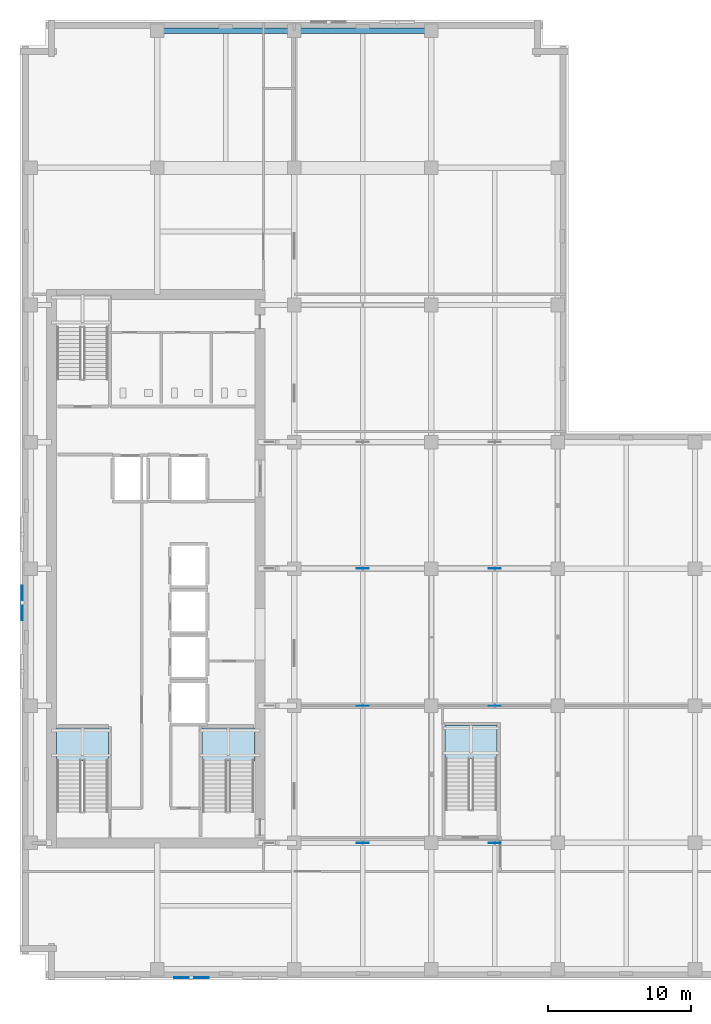
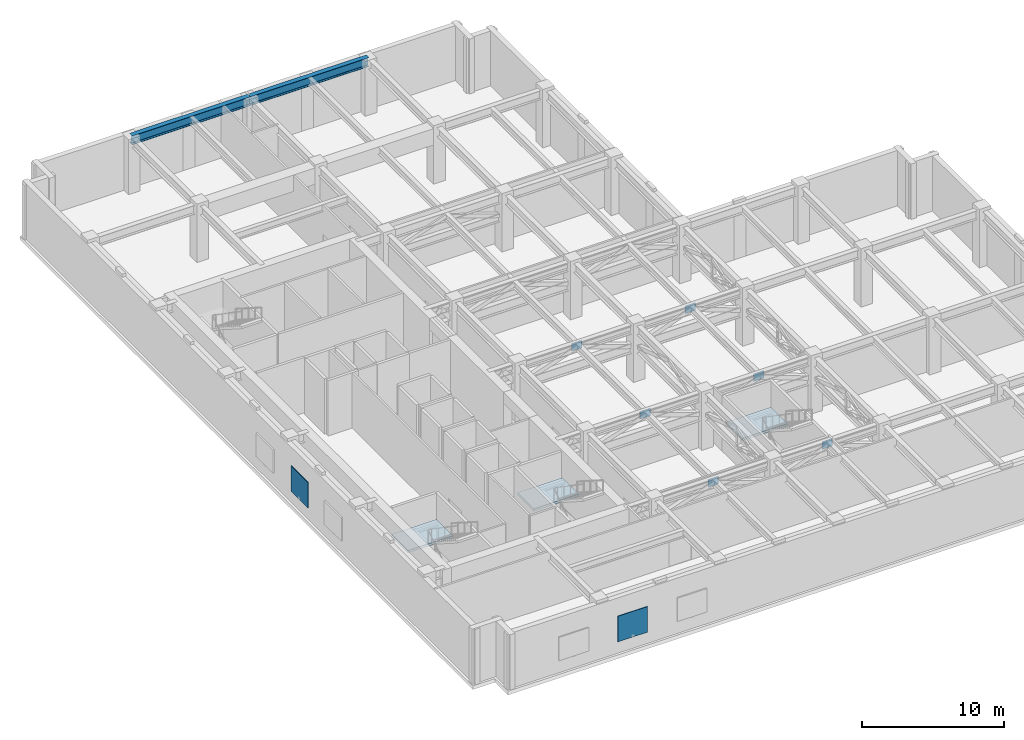
# One storey, part 8 of 21: 8 plates, 3 slabs, 2 beams, 3 elements without a shape of their own.
"""IFC4 building model written with IfcOpenShell, lengths in metres."""

from ifc_helpers import new_model, si_unit, direction, frame, origin, origin_2d, place, context, subcontext, project, spatial, polyline, rectangle, i_section, outline, extrude, material, layer, layer_set, material_profile, profile_set, type_object, element, aggregate, save


model = new_model("IFC4")

# Units and contexts
model_context = context("Model", 3, precision=1e-05, world=origin(), true_north=direction((0.0, 1.0)))
body_context = subcontext(model_context, "Body", "Model", "MODEL_VIEW")
ifc_project = project(units=[si_unit("LENGTHUNIT", "METRE"), si_unit("AREAUNIT", "SQUARE_METRE"), si_unit("VOLUMEUNIT", "CUBIC_METRE"), si_unit("PLANEANGLEUNIT", "RADIAN"), si_unit("MASSUNIT", "GRAM", prefix="KILO")], contexts=[model_context])

# Site, building, storey
site_placement = place(None, origin())
site = spatial("IfcSite", under=ifc_project, at=site_placement, CompositionType="ELEMENT")
building_placement = place(site_placement, origin())
building = spatial("IfcBuilding", under=site, at=building_placement, Name="Norrvale University Quadrangle", CompositionType="ELEMENT")
storey_placement = place(building_placement, frame((0.0, 0.0, 194.0)))
storey = spatial("IfcBuildingStorey", under=building, at=storey_placement, Name="L49", CompositionType="ELEMENT", Elevation=194.0)

# Beams
ifc_material_1 = material(Name="Steel 350W", Category="steel")
ifc_material_profile = material_profile(ifc_material_1, i_section(OverallWidth=0.381103515625, OverallDepth=0.77294921875, WebThickness=0.0166015625, FlangeThickness=0.027587890625, FilletRadius=0.02001953125, at=origin_2d()), Name="Steel 350W")
ifc_profile_set = profile_set([ifc_material_profile], Name="Steel 350W")
beam_type = type_object("IfcBeamType", Name="Beam Outrig W760x257", PredefinedType="BEAM", material=ifc_profile_set)
beam_1_placement = place(storey_placement, frame((9.60009765625, 66.449951171875, 4.3134765625), z_axis=(1.0, 0.0, 0.0), x_axis=(0.0, 1.0, 0.0)))
element("IfcBeam", 1, at=beam_1_placement, inside=storey, type_object=beam_type, Name="Beam Outrig W760x257 BM-L49-GX024", PredefinedType="BEAM", context=body_context, shape_type="SweptSolid", body=[
    extrude(i_section(OverallWidth=0.381103515625, OverallDepth=0.77294921875, WebThickness=0.0166015625, FlangeThickness=0.027587890625, FilletRadius=0.02001953125, at=origin_2d()), origin(), (0.0, 0.0, 1.0), 9.599853515625),
])
beam_2_placement = place(storey_placement, frame((19.199951171875, 66.449951171875, 4.3134765625), z_axis=(1.0, 0.0, 0.0), x_axis=(0.0, 1.0, 0.0)))
element("IfcBeam", 2, at=beam_2_placement, inside=storey, type_object=beam_type, Name="Beam Outrig W760x257 BM-L49-GX025", PredefinedType="BEAM", context=body_context, shape_type="SweptSolid", body=[
    extrude(i_section(OverallWidth=0.381103515625, OverallDepth=0.77294921875, WebThickness=0.0166015625, FlangeThickness=0.027587890625, FilletRadius=0.02001953125, at=origin_2d()), origin(), (0.0, 0.0, 1.0), 9.60009765625),
])

# Plates
ifc_material_2 = material(Name="Perforated Acoustic Aluminium Screen", Category="aluminium")
ifc_layer_1 = layer(ifc_material_2, 0.06005859375, Name="Perforated Acoustic Aluminium Screen")
ifc_layer_set_1 = layer_set([ifc_layer_1], Name="Perforated Acoustic Aluminium Screen")
plate_type_1 = type_object("IfcPlateType", Name="Plate Crown Screen 60", PredefinedType="USERDEFINED", material=ifc_layer_set_1)
for number, where, z_axis, x_axis, name in (
    (3, (12.0, 0.159912109375, 1.0), (0.0, 0.0, 1.0), (1.0, 0.0, 0.0), "Acoustic Louvered Crown Screen 005"),
    (4, (0.159912109375, 26.39990234375, 1.0), (0.0, 0.0, 1.0), (0.0, -1.0, 0.0), "Acoustic Louvered Crown Screen 008"),
):
    element("IfcPlate", number, at=place(storey_placement, frame(where, z_axis=z_axis, x_axis=x_axis)), inside=storey, type_object=plate_type_1, Name=name, ObjectType="CROWN SCREEN", PredefinedType="USERDEFINED", context=body_context, shape_type="SweptSolid", body=[
        extrude(rectangle(XDim=2.39990234375, YDim=0.06005859375, at=origin_2d()), origin(), (0.0, 0.0, 1.0), 2.199951171875),
    ])
ifc_layer_2 = layer(ifc_material_1, 0.02490234375, Name="Steel 350W")
ifc_layer_set_2 = layer_set([ifc_layer_2], Name="Steel 350W")
plate_type_2 = type_object("IfcPlateType", Name="Plate Gusset 25", PredefinedType="USERDEFINED", material=ifc_layer_set_2)
for number, where, z_axis, x_axis, name in (
    (5, (24.0, 9.60009765625, 4.06494140625), (0.0, 0.0, 1.0), (1.0, 0.0, 0.0), "Outrigger Truss Gusset Plate 19"),
    (6, (33.22509765625, 9.60009765625, 4.06494140625), (0.0, 0.0, 1.0), (1.0, 0.0, 0.0), "Outrigger Truss Gusset Plate 20"),
    (7, (24.0, 19.199951171875, 4.06494140625), (0.0, 0.0, 1.0), (1.0, 0.0, 0.0), "Outrigger Truss Gusset Plate 23"),
    (8, (33.22509765625, 19.199951171875, 4.06494140625), (0.0, 0.0, 1.0), (1.0, 0.0, 0.0), "Outrigger Truss Gusset Plate 24"),
    (9, (24.0, 28.800048828125, 4.06494140625), (0.0, 0.0, 1.0), (1.0, 0.0, 0.0), "Outrigger Truss Gusset Plate 27"),
    (10, (33.22509765625, 28.800048828125, 4.06494140625), (0.0, 0.0, 1.0), (1.0, 0.0, 0.0), "Outrigger Truss Gusset Plate 28"),
):
    element("IfcPlate", number, at=place(storey_placement, frame(where, z_axis=z_axis, x_axis=x_axis)), inside=storey, type_object=plate_type_2, Name=name, ObjectType="GUSSET_PLATE", PredefinedType="USERDEFINED", context=body_context, shape_type="SweptSolid", body=[
        extrude(rectangle(XDim=0.85009765625, YDim=0.02490234375, at=origin_2d()), origin(), (0.0, 0.0, 1.0), 0.64990234375),
    ])

# Stair, slab
ifc_material_3 = material(Name="Concrete C40/50", Category="concrete")
stair_type = type_object("IfcStairType", Name="Stair Tower Plant 5000", PredefinedType="TWO_STRAIGHT_RUN_STAIR", material=ifc_material_3)
stair_1_placement = place(storey_placement, origin())
stair_1 = element("IfcStair", 11, at=stair_1_placement, inside=storey, type_object=stair_type, Name="Exit Stair ST-01 L49", PredefinedType="TWO_STRAIGHT_RUN_STAIR")
ifc_layer_3 = layer(ifc_material_3, 0.199951171875, Name="Concrete C40/50")
ifc_layer_set_3 = layer_set([ifc_layer_3], Name="Concrete C40/50")
slab_type = type_object("IfcSlabType", Name="Slab Landing 200", PredefinedType="LANDING", material=ifc_layer_set_3)
slab_1_placement = place(storey_placement, frame((0.0, 0.0, 2.300048828125)))
slab_1 = element("IfcSlab", 12, at=slab_1_placement, type_object=slab_type, Name="Exit Stair ST-01 L49 Mid Landing", PredefinedType="LANDING", context=body_context, shape_type="SweptSolid", body=[
    extrude(outline(polyline([(2.550048828125, 15.330078125), (6.199951171875, 15.330078125), (6.199951171875, 17.64990234375), (2.550048828125, 17.64990234375), (2.550048828125, 15.330078125)])), origin(), (0.0, 0.0, 1.0), 0.199951171875),
])
aggregate(stair_1, [slab_1])

stair_2_placement = place(storey_placement, origin())
stair_2 = element("IfcStair", 13, at=stair_2_placement, inside=storey, type_object=stair_type, Name="Exit Stair ST-03 L49", PredefinedType="TWO_STRAIGHT_RUN_STAIR")
slab_2_placement = place(storey_placement, frame((0.0, 0.0, 2.300048828125)))
slab_2 = element("IfcSlab", 14, at=slab_2_placement, type_object=slab_type, Name="Exit Stair ST-03 L49 Mid Landing", PredefinedType="LANDING", context=body_context, shape_type="SweptSolid", body=[
    extrude(outline(polyline([(12.75, 15.330078125), (16.39990234375, 15.330078125), (16.39990234375, 17.64990234375), (12.75, 17.64990234375), (12.75, 15.330078125)])), origin(), (0.0, 0.0, 1.0), 0.199951171875),
])
aggregate(stair_2, [slab_2])

stair_3_placement = place(storey_placement, origin())
stair_3 = element("IfcStair", 15, at=stair_3_placement, inside=storey, type_object=stair_type, Name="Exit Stair ST-04 L49", PredefinedType="TWO_STRAIGHT_RUN_STAIR")
slab_3_placement = place(storey_placement, frame((0.0, 0.0, 2.300048828125)))
slab_3 = element("IfcSlab", 16, at=slab_3_placement, type_object=slab_type, Name="Exit Stair ST-04 L49 Mid Landing", PredefinedType="LANDING", context=body_context, shape_type="SweptSolid", body=[
    extrude(outline(polyline([(29.75, 15.47998046875), (33.39990234375, 15.47998046875), (33.39990234375, 17.800048828125), (29.75, 17.800048828125), (29.75, 15.47998046875)])), origin(), (0.0, 0.0, 1.0), 0.199951171875),
])
aggregate(stair_3, [slab_3])

save(model, "model.ifc")
